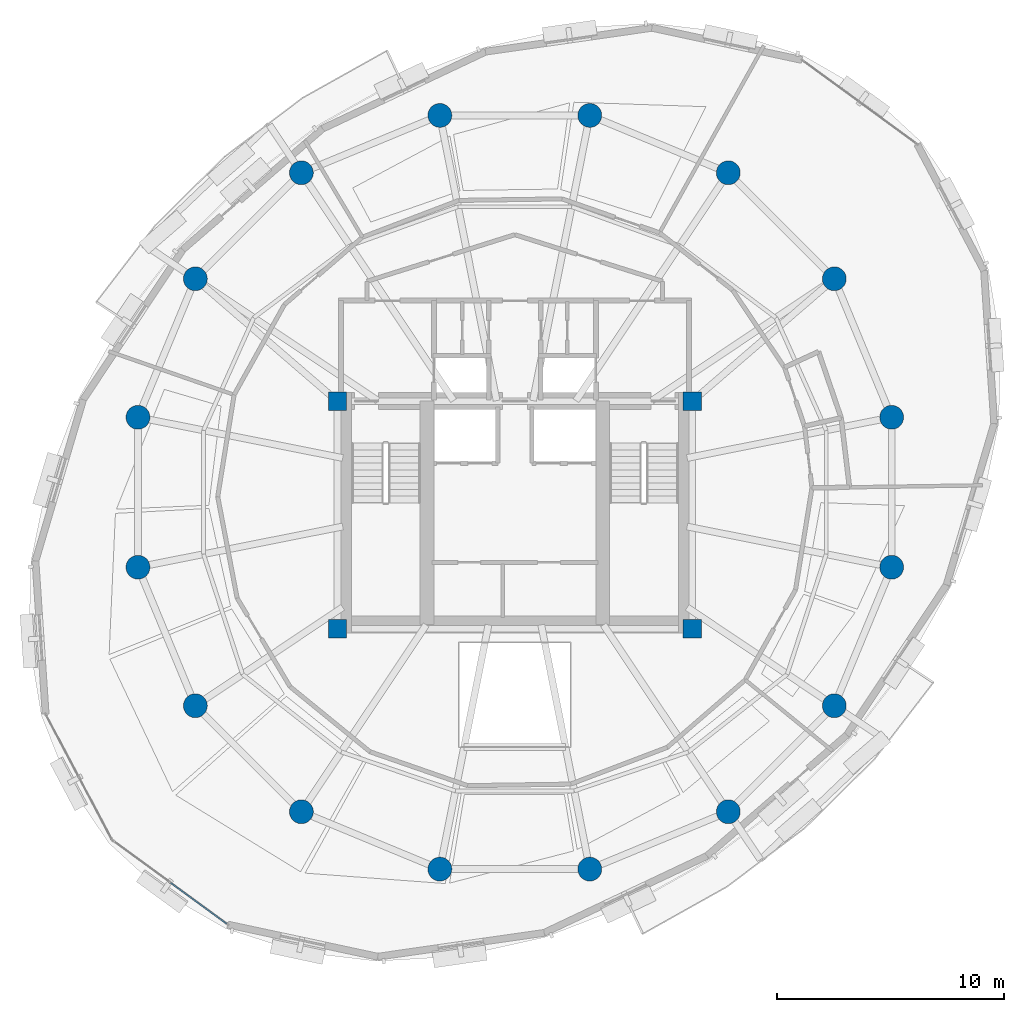
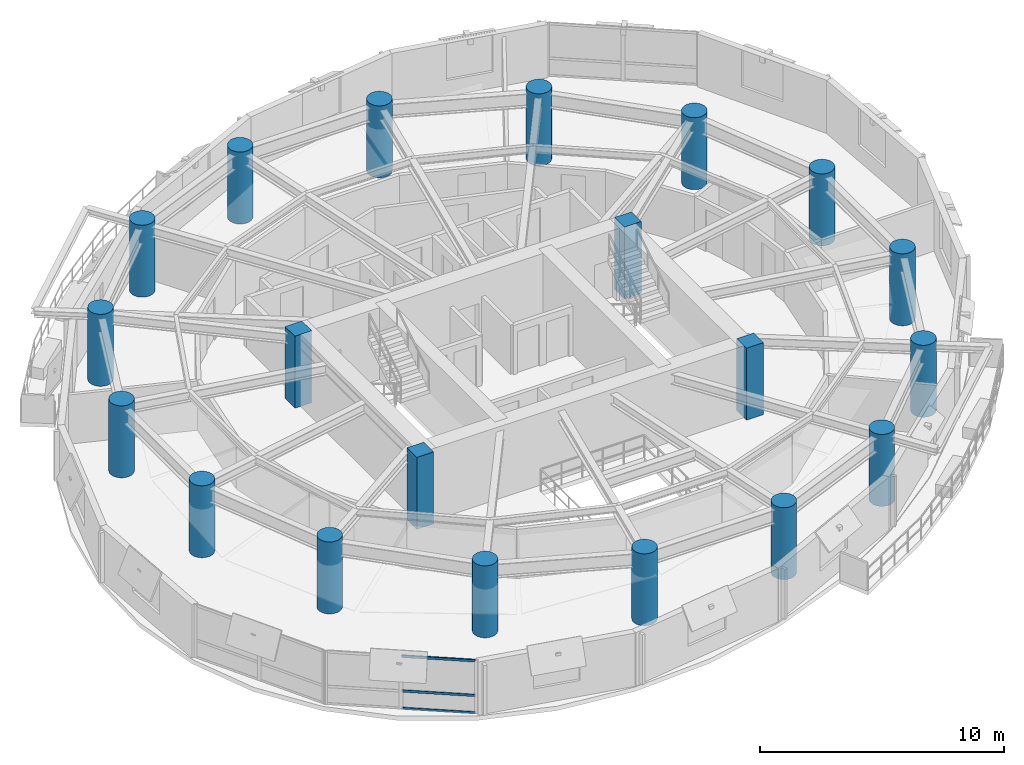
# One storey, part 1 of 12: 20 columns, 3 members, 1 element without a shape of its own.
"""IFC4 building model written with IfcOpenShell, lengths in metres."""

from ifc_helpers import new_model, si_unit, direction, frame, origin, origin_2d, place, context, subcontext, project, spatial, rectangle, hollow_rectangle, circle, extrude, material, layer, layer_set, material_profile, profile_set, type_object, element, aggregate, save


model = new_model("IFC4")

# Units and contexts
model_context = context("Model", 3, precision=1e-05, world=origin(), true_north=direction((0.0, 1.0)))
body_context = subcontext(model_context, "Body", "Model", "MODEL_VIEW")
ifc_project = project(units=[si_unit("LENGTHUNIT", "METRE"), si_unit("AREAUNIT", "SQUARE_METRE"), si_unit("VOLUMEUNIT", "CUBIC_METRE"), si_unit("PLANEANGLEUNIT", "RADIAN"), si_unit("MASSUNIT", "GRAM", prefix="KILO"), si_unit("THERMODYNAMICTEMPERATUREUNIT", "KELVIN"), si_unit("POWERUNIT", "WATT")], contexts=[model_context])

# Site, building, storey
site_placement = place(None, origin())
site = spatial("IfcSite", under=ifc_project, at=site_placement, CompositionType="ELEMENT")
building_placement = place(site_placement, origin())
building = spatial("IfcBuilding", under=site, at=building_placement, Name="Ocrelia Relay Tower", CompositionType="ELEMENT")
storey_placement = place(building_placement, frame((0.0, 0.0, 202.39990234375)))
storey = spatial("IfcBuildingStorey", under=building, at=storey_placement, Name="L49", CompositionType="ELEMENT", Elevation=202.39990234375)

# Columns
ifc_material_1 = material(Name="Concrete C60/75", Category="concrete")
ifc_material_profile_1 = material_profile(ifc_material_1, circle(Radius=0.52490234375, at=origin_2d()), Name="RC-CIR-1050")
ifc_profile_set_1 = profile_set([ifc_material_profile_1], Name="Concrete C60/75")
column_type_1 = type_object("IfcColumnType", Name="COL-CT-1050", PredefinedType="COLUMN", material=ifc_profile_set_1)
for number, where, z_axis, x_axis, name in (
    (1, (50.5751953125, 29.297119140625, 0.0), (0.0, 0.0, 1.0), (1.0, 0.0, 0.0), "L49 Perimeter Ring Column C01"),
    (2, (48.0517578125, 35.38916015625, 0.0), (0.0, 0.0, 1.0), (1.0, 0.0, 0.0), "L49 Perimeter Ring Column C02"),
    (3, (43.38916015625, 40.0517578125, 0.0), (0.0, 0.0, 1.0), (1.0, 0.0, 0.0), "L49 Perimeter Ring Column C03"),
    (4, (37.297119140625, 42.5751953125, 0.0), (0.0, 0.0, 1.0), (1.0, 0.0, 0.0), "L49 Perimeter Ring Column C04"),
    (5, (30.702880859375, 42.5751953125, 0.0), (0.0, 0.0, 1.0), (1.0, 0.0, 0.0), "L49 Perimeter Ring Column C05"),
    (6, (24.61083984375, 40.0517578125, 0.0), (0.0, 0.0, 1.0), (1.0, 0.0, 0.0), "L49 Perimeter Ring Column C06"),
    (7, (19.9482421875, 35.38916015625, 0.0), (0.0, 0.0, 1.0), (1.0, 0.0, 0.0), "L49 Perimeter Ring Column C07"),
    (8, (17.4248046875, 29.297119140625, 0.0), (0.0, 0.0, 1.0), (1.0, 0.0, 0.0), "L49 Perimeter Ring Column C08"),
    (9, (17.4248046875, 22.702880859375, 0.0), (0.0, 0.0, 1.0), (1.0, 0.0, 0.0), "L49 Perimeter Ring Column C09"),
    (10, (19.9482421875, 16.61083984375, 0.0), (0.0, 0.0, 1.0), (1.0, 0.0, 0.0), "L49 Perimeter Ring Column C10"),
    (11, (24.61083984375, 11.9482421875, 0.0), (0.0, 0.0, 1.0), (1.0, 0.0, 0.0), "L49 Perimeter Ring Column C11"),
    (12, (30.702880859375, 9.4248046875, 0.0), (0.0, 0.0, 1.0), (1.0, 0.0, 0.0), "L49 Perimeter Ring Column C12"),
    (13, (37.297119140625, 9.4248046875, 0.0), (0.0, 0.0, 1.0), (1.0, 0.0, 0.0), "L49 Perimeter Ring Column C13"),
    (14, (43.38916015625, 11.9482421875, 0.0), (0.0, 0.0, 1.0), (1.0, 0.0, 0.0), "L49 Perimeter Ring Column C14"),
    (15, (48.0517578125, 16.61083984375, 0.0), (0.0, 0.0, 1.0), (1.0, 0.0, 0.0), "L49 Perimeter Ring Column C15"),
    (16, (50.5751953125, 22.702880859375, 0.0), (0.0, 0.0, 1.0), (1.0, 0.0, 0.0), "L49 Perimeter Ring Column C16"),
):
    element("IfcColumn", number, at=place(storey_placement, frame(where, z_axis=z_axis, x_axis=x_axis)), inside=storey, type_object=column_type_1, Name=name, PredefinedType="COLUMN", context=body_context, shape_type="SweptSolid", body=[
        extrude(circle(Radius=0.52490234375, at=origin_2d()), origin(), (0.0, 0.0, 1.0), 3.60009765625),
    ])
ifc_material_profile_2 = material_profile(ifc_material_1, rectangle(XDim=0.800048828125, YDim=0.800048828125, at=origin_2d()), Name="RC-COL-800x800")
ifc_profile_set_2 = profile_set([ifc_material_profile_2], Name="Concrete C60/75")
column_type_2 = type_object("IfcColumnType", Name="COL-PILASTER-800", PredefinedType="PILASTER", material=ifc_profile_set_2)
for number, where, z_axis, x_axis, name in (
    (17, (26.199951171875, 20.0, 0.0), (0.0, 0.0, 1.0), (1.0, 0.0, 0.0), "L49 Core Corner Pilaster SW"),
    (18, (41.800048828125, 20.0, 0.0), (0.0, 0.0, 1.0), (1.0, 0.0, 0.0), "L49 Core Corner Pilaster SE"),
    (19, (26.199951171875, 30.0, 0.0), (0.0, 0.0, 1.0), (1.0, 0.0, 0.0), "L49 Core Corner Pilaster NW"),
    (20, (41.800048828125, 30.0, 0.0), (0.0, 0.0, 1.0), (1.0, 0.0, 0.0), "L49 Core Corner Pilaster NE"),
):
    element("IfcColumn", number, at=place(storey_placement, frame(where, z_axis=z_axis, x_axis=x_axis)), inside=storey, type_object=column_type_2, Name=name, PredefinedType="PILASTER", context=body_context, shape_type="SweptSolid", body=[
        extrude(rectangle(XDim=0.800048828125, YDim=0.800048828125, at=origin_2d()), origin(), (0.0, 0.0, 1.0), 3.60009765625),
    ])

# Curtain wall, members
ifc_material_2 = material(Name="Aluminium and solar-control low-E glass", Category="aluminium")
ifc_layer = layer(ifc_material_2, 0.179931640625, Name="Aluminium and solar-control low-E glass")
ifc_layer_set = layer_set([ifc_layer], Name="Aluminium and solar-control low-E glass")
curtain_wall_type = type_object("IfcCurtainWallType", Name="CW-SYS-Z3-CLOU", PredefinedType="NOTDEFINED", material=ifc_layer_set)
curtain_wall_placement = place(storey_placement, origin())
curtain_wall = element("IfcCurtainWall", 21, at=curtain_wall_placement, inside=storey, type_object=curtain_wall_type, Name="L49 Elliptical Tower Curtain Wall Bay 10", PredefinedType="NOTDEFINED")
ifc_material_3 = material(Name="Anodised bronze aluminium", Category="aluminium")
ifc_material_profile_3 = material_profile(ifc_material_3, hollow_rectangle(XDim=0.06005859375, YDim=0.1201171875, WallThickness=0.0048828125, at=origin_2d()), Name="CW-TRN-120x60")
ifc_profile_set_3 = profile_set([ifc_material_profile_3], Name="Anodised bronze aluminium")
member_type = type_object("IfcMemberType", Name="CW-SYS-Z3-CLOU-TRN", PredefinedType="USERDEFINED", material=ifc_profile_set_3)
member_1_placement = place(storey_placement, frame((18.86181640625, 8.8212890625, 0.030029296875), z_axis=(0.807283831033, -0.590163380898, 0.0), x_axis=(0.590163380898, 0.807283831033, 0.0)))
member_1 = element("IfcMember", 22, at=member_1_placement, type_object=member_type, Name="CW-Z3 transom 2.1", ObjectType="TRANSOM", PredefinedType="USERDEFINED", context=body_context, shape_type="SweptSolid", body=[
    extrude(hollow_rectangle(XDim=0.06005859375, YDim=0.1201171875, WallThickness=0.0048828125, at=origin_2d()), origin(), (0.0, 0.0, 1.0), 3.0439453125),
])
member_2_placement = place(storey_placement, frame((18.86181640625, 8.8212890625, 0.900146484375), z_axis=(0.807283831033, -0.590163380898, 0.0), x_axis=(0.590163380898, 0.807283831033, 0.0)))
member_2 = element("IfcMember", 23, at=member_2_placement, type_object=member_type, Name="CW-Z3 transom 2.2", ObjectType="TRANSOM", PredefinedType="USERDEFINED", context=body_context, shape_type="SweptSolid", body=[
    extrude(hollow_rectangle(XDim=0.06005859375, YDim=0.1201171875, WallThickness=0.0048828125, at=origin_2d()), origin(), (0.0, 0.0, 1.0), 3.0439453125),
])
member_3_placement = place(storey_placement, frame((18.86181640625, 8.8212890625, 2.630126953125), z_axis=(0.807283831033, -0.590163380898, 0.0), x_axis=(0.590163380898, 0.807283831033, 0.0)))
member_3 = element("IfcMember", 24, at=member_3_placement, type_object=member_type, Name="CW-Z3 transom 2.3", ObjectType="TRANSOM", PredefinedType="USERDEFINED", context=body_context, shape_type="SweptSolid", body=[
    extrude(hollow_rectangle(XDim=0.06005859375, YDim=0.1201171875, WallThickness=0.0048828125, at=origin_2d()), origin(), (0.0, 0.0, 1.0), 3.0439453125),
])
aggregate(curtain_wall, [member_1, member_2, member_3])

save(model, "model.ifc")
